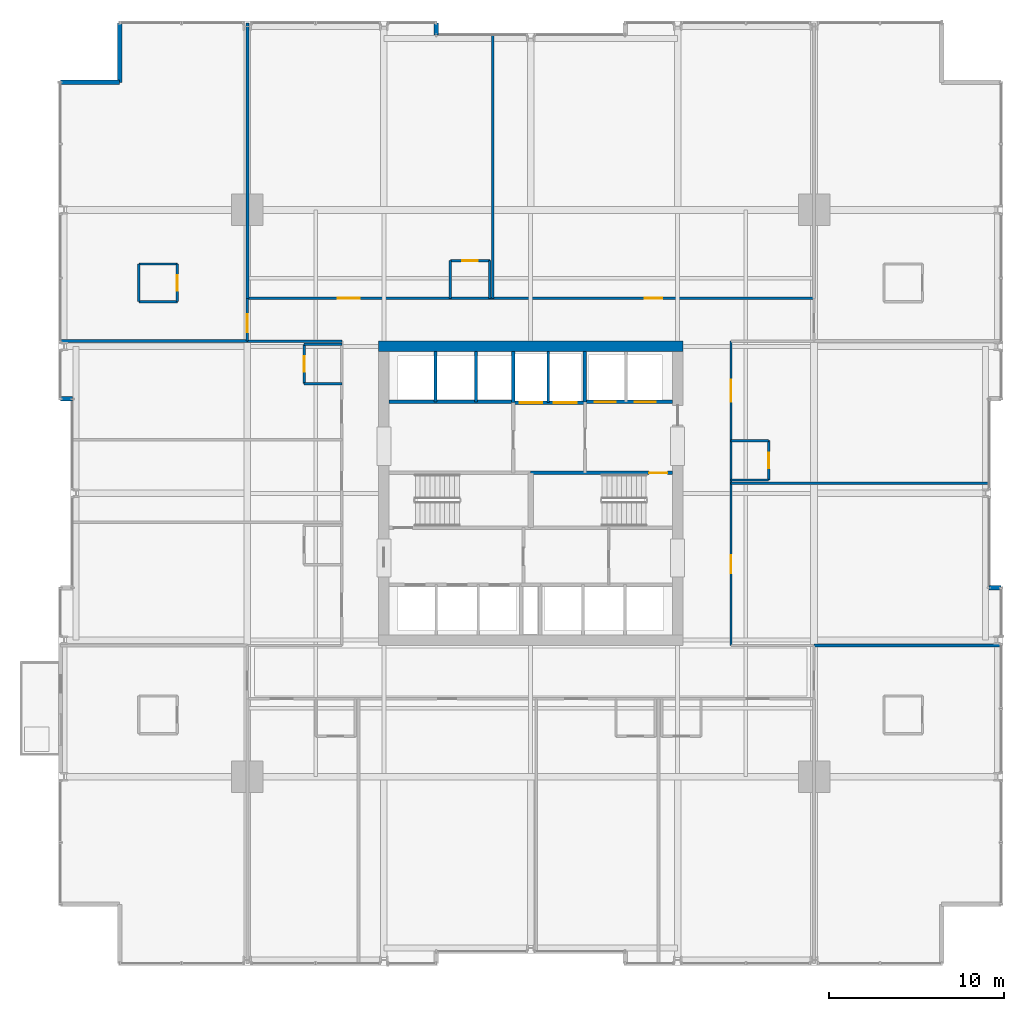
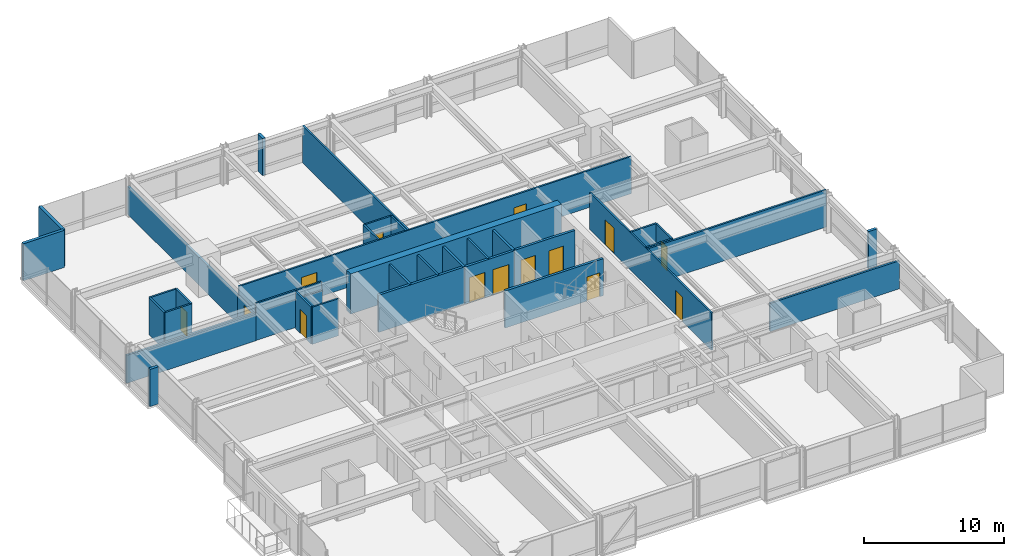
# One storey, part 32 of 37: 37 walls, 14 doors, 14 openings.
"""IFC4 building model written with IfcOpenShell, lengths in metres."""

from ifc_helpers import new_model, si_unit, direction, frame, frame_2d, origin, place, context, subcontext, project, spatial, rectangle, extrude, material, layer, layer_set, type_object, element, fill, save


model = new_model("IFC4")

# Units and contexts
model_context = context("Model", 3, precision=1e-05, world=origin(), true_north=direction((0.0, 1.0)))
body_context = subcontext(model_context, "Body", "Model", "MODEL_VIEW")
ifc_project = project(units=[si_unit("LENGTHUNIT", "METRE"), si_unit("AREAUNIT", "SQUARE_METRE"), si_unit("VOLUMEUNIT", "CUBIC_METRE"), si_unit("PLANEANGLEUNIT", "RADIAN"), si_unit("MASSUNIT", "GRAM", prefix="KILO")], contexts=[model_context])

# Site, building, storey
site_placement = place(None, origin())
site = spatial("IfcSite", under=ifc_project, at=site_placement, CompositionType="ELEMENT")
building_placement = place(site_placement, origin())
building = spatial("IfcBuilding", under=site, at=building_placement, Name="Drelvath Grand Hotel", CompositionType="ELEMENT")
storey_placement = place(building_placement, frame((0.0, 0.0, 75.199951171875)))
storey = spatial("IfcBuildingStorey", under=building, at=storey_placement, Name="L18", CompositionType="ELEMENT", Elevation=75.199951171875)

# Wall, openings, doors
ifc_material_1 = material(Name="Concrete C40/50", Category="concrete")
ifc_layer_1 = layer(ifc_material_1, 0.199951171875)
ifc_layer_set_1 = layer_set([ifc_layer_1], Name="Concrete C40/50")
wall_type_1 = type_object("IfcWallType", Name="Core Hoistway Fire Wall 200", PredefinedType="SOLIDWALL", material=ifc_layer_set_1)
wall_1_placement = place(storey_placement, frame((3.10009765625, 32.219970703125, 0.0), z_axis=(0.0, 0.0, 1.0), x_axis=(1.0, 0.0, 0.0)))
wall_1 = element("IfcWall", 1, at=wall_1_placement, inside=storey, type_object=wall_type_1, Name="L18 FSAE Hoistway Front Wall", PredefinedType="SOLIDWALL", context=body_context, shape_type="SweptSolid", body=[
    extrude(rectangle(XDim=5.0, YDim=0.199951171875, at=frame_2d((2.5, 0.0))), origin(), (0.0, 0.0, 1.0), 3.239990234375),
])
opening_1_placement = place(wall_1_placement, frame((0.550048828125, 0.0, 0.0)))
opening_1 = element("IfcOpeningElement", 2, at=opening_1_placement, cuts=wall_1, Name="Opening LD-FSAE-1", PredefinedType="OPENING", context=body_context, shape_type="SweptSolid", body=[
    extrude(rectangle(XDim=1.199951171875, YDim=2.199951171875, at=frame_2d((0.60009765625, 1.10009765625))), frame((0.0, 0.10986328125, 0.0), z_axis=(0.0, -1.0, 0.0), x_axis=(1.0, 0.0, 0.0)), (0.0, 0.0, 1.0), 0.219970703125),
])
opening_2_placement = place(wall_1_placement, frame((2.85009765625, 0.0, 0.0)))
opening_2 = element("IfcOpeningElement", 3, at=opening_2_placement, cuts=wall_1, Name="Opening LD-FSAE-2", PredefinedType="OPENING", context=body_context, shape_type="SweptSolid", body=[
    extrude(rectangle(XDim=1.199951171875, YDim=2.199951171875, at=frame_2d((0.60009765625, 1.10009765625))), frame((0.0, 0.10986328125, 0.0), z_axis=(0.0, -1.0, 0.0), x_axis=(1.0, 0.0, 0.0)), (0.0, 0.0, 1.0), 0.219970703125),
])
ifc_material_2 = material(Name="Stainless Steel S355", Category="steel")
door_type_1 = type_object("IfcDoorType", Name="FSAE Lift Sliding Landing Door 1200x2200", OperationType="NOTDEFINED", PredefinedType="DOOR", material=ifc_material_2)
door_1_placement = place(opening_1_placement, origin())
door_1 = element("IfcDoor", 4, at=door_1_placement, inside=storey, type_object=door_type_1, Name="L18 Lift FSAE-1 Landing Door", OperationType="SLIDING_TO_LEFT", OverallHeight=2.199951171875, OverallWidth=1.199951171875, PredefinedType="DOOR", context=body_context, shape_type="SweptSolid", body=[
    extrude(rectangle(XDim=1.199951171875, YDim=2.199951171875, at=frame_2d((0.60009765625, 1.10009765625))), frame((0.0, 0.02490234375, 0.0), z_axis=(0.0, -1.0, 0.0), x_axis=(1.0, 0.0, 0.0)), (0.0, 0.0, 1.0), 0.050048828125),
])
fill(opening_1, door_1)
door_2_placement = place(opening_2_placement, origin())
door_2 = element("IfcDoor", 5, at=door_2_placement, inside=storey, type_object=door_type_1, Name="L18 Lift FSAE-2 Landing Door", OperationType="SLIDING_TO_LEFT", OverallHeight=2.199951171875, OverallWidth=1.199951171875, PredefinedType="DOOR", context=body_context, shape_type="SweptSolid", body=[
    extrude(rectangle(XDim=1.199951171875, YDim=2.199951171875, at=frame_2d((0.60009765625, 1.10009765625))), frame((0.0, 0.02490234375, 0.0), z_axis=(0.0, -1.0, 0.0), x_axis=(1.0, 0.0, 0.0)), (0.0, 0.0, 1.0), 0.050048828125),
])
fill(opening_2, door_2)

# Wall
wall_2_placement = place(storey_placement, frame((3.10009765625, 32.219970703125, 0.0), z_axis=(0.0, 0.0, 1.0), x_axis=(0.0, 1.0, 0.0)))
element("IfcWall", 6, at=wall_2_placement, inside=storey, type_object=wall_type_1, Name="L18 FSAE Hoistway West Wall", PredefinedType="SOLIDWALL", context=body_context, shape_type="SweptSolid", body=[
    extrude(rectangle(XDim=2.880126953125, YDim=0.199951171875, at=frame_2d((1.43994140625, 0.0))), origin(), (0.0, 0.0, 1.0), 3.239990234375),
])

# Wall, openings, doors
wall_3_placement = place(storey_placement, frame((-1.0, 32.179931640625, 0.0), z_axis=(0.0, 0.0, 1.0), x_axis=(1.0, 0.0, 0.0)))
wall_3 = element("IfcWall", 7, at=wall_3_placement, inside=storey, type_object=wall_type_1, Name="L18 Service Lift Hoistway Wall", PredefinedType="SOLIDWALL", context=body_context, shape_type="SweptSolid", body=[
    extrude(rectangle(XDim=4.10009765625, YDim=0.199951171875, at=frame_2d((2.050048828125, 0.0))), origin(), (0.0, 0.0, 1.0), 3.239990234375),
])
opening_3_placement = place(wall_3_placement, frame((0.3701171875, 0.0, 0.0)))
opening_3 = element("IfcOpeningElement", 8, at=opening_3_placement, cuts=wall_3, Name="Opening LD-SV-2", PredefinedType="OPENING", context=body_context, shape_type="SweptSolid", body=[
    extrude(rectangle(XDim=1.300048828125, YDim=2.199951171875, at=frame_2d((0.64990234375, 1.10009765625))), frame((0.0, 0.10986328125, 0.0), z_axis=(0.0, -1.0, 0.0), x_axis=(1.0, 0.0, 0.0)), (0.0, 0.0, 1.0), 0.219970703125),
])
opening_4_placement = place(wall_3_placement, frame((2.330078125, 0.0, 0.0)))
opening_4 = element("IfcOpeningElement", 9, at=opening_4_placement, cuts=wall_3, Name="Opening LD-SV-1", PredefinedType="OPENING", context=body_context, shape_type="SweptSolid", body=[
    extrude(rectangle(XDim=1.300048828125, YDim=2.199951171875, at=frame_2d((0.64990234375, 1.10009765625))), frame((0.0, 0.10986328125, 0.0), z_axis=(0.0, -1.0, 0.0), x_axis=(1.0, 0.0, 0.0)), (0.0, 0.0, 1.0), 0.219970703125),
])
door_type_2 = type_object("IfcDoorType", Name="Service Lift Sliding Landing Door 1300x2200", OperationType="NOTDEFINED", PredefinedType="DOOR", material=ifc_material_2)
door_3_placement = place(opening_3_placement, origin())
door_3 = element("IfcDoor", 10, at=door_3_placement, inside=storey, type_object=door_type_2, Name="L18 Lift SV-2 Landing Door", OperationType="SLIDING_TO_LEFT", OverallHeight=2.199951171875, OverallWidth=1.300048828125, PredefinedType="DOOR", context=body_context, shape_type="SweptSolid", body=[
    extrude(rectangle(XDim=1.300048828125, YDim=2.199951171875, at=frame_2d((0.64990234375, 1.10009765625))), frame((0.0, 0.02490234375, 0.0), z_axis=(0.0, -1.0, 0.0), x_axis=(1.0, 0.0, 0.0)), (0.0, 0.0, 1.0), 0.050048828125),
])
fill(opening_3, door_3)
door_4_placement = place(opening_4_placement, origin())
door_4 = element("IfcDoor", 11, at=door_4_placement, inside=storey, type_object=door_type_2, Name="L18 Lift SV-1 Landing Door", OperationType="SLIDING_TO_LEFT", OverallHeight=2.199951171875, OverallWidth=1.300048828125, PredefinedType="DOOR", context=body_context, shape_type="SweptSolid", body=[
    extrude(rectangle(XDim=1.300048828125, YDim=2.199951171875, at=frame_2d((0.64990234375, 1.10009765625))), frame((0.0, 0.02490234375, 0.0), z_axis=(0.0, -1.0, 0.0), x_axis=(1.0, 0.0, 0.0)), (0.0, 0.0, 1.0), 0.050048828125),
])
fill(opening_4, door_4)

# Walls
wall_4_placement = place(storey_placement, frame((-1.0, 32.179931640625, 0.0), z_axis=(0.0, 0.0, 1.0), x_axis=(0.0, 1.0, 0.0)))
element("IfcWall", 12, at=wall_4_placement, inside=storey, type_object=wall_type_1, Name="L18 Service Lift West Wall", PredefinedType="SOLIDWALL", context=body_context, shape_type="SweptSolid", body=[
    extrude(rectangle(XDim=2.920166015625, YDim=0.199951171875, at=frame_2d((1.4599609375, 0.0))), origin(), (0.0, 0.0, 1.0), 3.239990234375),
])
wall_5_placement = place(storey_placement, frame((-8.10009765625, 32.219970703125, 0.0), z_axis=(0.0, 0.0, 1.0), x_axis=(1.0, 0.0, 0.0)))
element("IfcWall", 13, at=wall_5_placement, inside=storey, type_object=wall_type_1, Name="L18 Bank 3 Hoistway Wall", PredefinedType="SOLIDWALL", context=body_context, shape_type="SweptSolid", body=[
    extrude(rectangle(XDim=7.10009765625, YDim=0.199951171875, at=frame_2d((3.550048828125, 0.0))), origin(), (0.0, 0.0, 1.0), 3.239990234375),
])

# Wall, opening, door
ifc_layer_2 = layer(ifc_material_1, 0.199951171875)
ifc_layer_set_2 = layer_set([ifc_layer_2], Name="Concrete C40/50")
wall_type_2 = type_object("IfcWallType", Name="Core Shaft Fire Wall 200", PredefinedType="SOLIDWALL", material=ifc_layer_set_2)
wall_6_placement = place(storey_placement, frame((8.10009765625, 28.159912109375, 0.0), z_axis=(0.0, 0.0, 1.0), x_axis=(-1.0, 0.0, 0.0)))
wall_6 = element("IfcWall", 14, at=wall_6_placement, inside=storey, type_object=wall_type_2, Name="L18 Stair ST-2 North Wall", PredefinedType="SOLIDWALL", context=body_context, shape_type="SweptSolid", body=[
    extrude(rectangle(XDim=8.10009765625, YDim=0.199951171875, at=frame_2d((4.050048828125, 0.0))), origin(), (0.0, 0.0, 1.0), 3.239990234375),
])
opening_5_placement = place(wall_6_placement, frame((0.280029296875, 0.0, 0.0)))
opening_5 = element("IfcOpeningElement", 15, at=opening_5_placement, cuts=wall_6, Name="Opening D-T1G5-002", PredefinedType="OPENING", context=body_context, shape_type="SweptSolid", body=[
    extrude(rectangle(XDim=1.050048828125, YDim=2.10009765625, at=frame_2d((0.52490234375, 1.050048828125))), frame((0.0, 0.10986328125, 0.0), z_axis=(0.0, -1.0, 0.0), x_axis=(1.0, 0.0, 0.0)), (0.0, 0.0, 1.0), 0.219970703125),
])
ifc_material_3 = material(Name="Painted Steel S275", Category="steel")
door_type_3 = type_object("IfcDoorType", Name="Tower Stairwell Fire Door 1050x2100", OperationType="NOTDEFINED", PredefinedType="DOOR", material=ifc_material_3)
door_5_placement = place(opening_5_placement, origin())
door_5 = element("IfcDoor", 16, at=door_5_placement, inside=storey, type_object=door_type_3, Name="L18 Exit Stair ST-2 Door", OperationType="SINGLE_SWING_LEFT", OverallHeight=2.10009765625, OverallWidth=1.050048828125, PredefinedType="DOOR", context=body_context, shape_type="SweptSolid", body=[
    extrude(rectangle(XDim=1.050048828125, YDim=2.10009765625, at=frame_2d((0.52490234375, 1.050048828125))), frame((0.0, 0.02490234375, 0.0), z_axis=(0.0, -1.0, 0.0), x_axis=(1.0, 0.0, 0.0)), (0.0, 0.0, 1.0), 0.050048828125),
])
fill(opening_5, door_5)

# Walls
ifc_material_4 = material(Name="Gypsum Fireboard Partition")
ifc_layer_3 = layer(ifc_material_4, 0.1650390625)
ifc_layer_set_3 = layer_set([ifc_layer_3], Name="Gypsum Fireboard Partition")
wall_type_3 = type_object("IfcWallType", Name="Core Shaft Partition 165", PredefinedType="PARTITIONING", material=ifc_layer_set_3)
wall_7_placement = place(storey_placement, frame((1.0, 32.179931640625, 0.0), z_axis=(0.0, 0.0, 1.0), x_axis=(0.0, 1.0, 0.0)))
element("IfcWall", 17, at=wall_7_placement, inside=storey, type_object=wall_type_3, Name="L18 Service Lift Divider", PredefinedType="PARTITIONING", context=body_context, shape_type="SweptSolid", body=[
    extrude(rectangle(XDim=2.920166015625, YDim=0.1650390625, at=frame_2d((1.4599609375, 0.0))), origin(), (0.0, 0.0, 1.0), 3.239990234375),
])
for number, where, z_axis, x_axis, name in (
    (18, (-5.43994140625, 32.219970703125, 0.0), (0.0, 0.0, 1.0), (0.0, 1.0, 0.0), "L18 Lift PE-7/8 Divider"),
    (19, (-3.1201171875, 32.219970703125, 0.0), (0.0, 0.0, 1.0), (0.0, 1.0, 0.0), "L18 Lift PE-8/9 Divider"),
):
    element("IfcWall", number, at=place(storey_placement, frame(where, z_axis=z_axis, x_axis=x_axis)), inside=storey, type_object=wall_type_3, Name=name, PredefinedType="PARTITIONING", context=body_context, shape_type="SweptSolid", body=[
        extrude(rectangle(XDim=2.880126953125, YDim=0.1650390625, at=frame_2d((1.43994140625, 0.0))), origin(), (0.0, 0.0, 1.0), 3.239990234375),
    ])

# Wall, openings, doors
ifc_layer_4 = layer(ifc_material_4, 0.135009765625)
ifc_layer_set_4 = layer_set([ifc_layer_4], Name="Gypsum Fireboard Partition")
wall_type_4 = type_object("IfcWallType", Name="Corridor Fire Barrier Wall 135", PredefinedType="PARTITIONING", material=ifc_layer_set_4)
wall_8_placement = place(storey_placement, frame((-16.199951171875, 38.14990234375, 0.0), z_axis=(0.0, 0.0, 1.0), x_axis=(1.0, 0.0, 0.0)))
wall_8 = element("IfcWall", 20, at=wall_8_placement, inside=storey, type_object=wall_type_4, Name="L18 North Corridor Wall", PredefinedType="PARTITIONING", context=body_context, shape_type="SweptSolid", body=[
    extrude(rectangle(XDim=32.39990234375, YDim=0.135009765625, at=frame_2d((16.199951171875, 0.0))), origin(), (0.0, 0.0, 1.0), 3.239990234375),
])
opening_6_placement = place(wall_8_placement, frame((5.175048828125, 0.0, 0.0)))
opening_6 = element("IfcOpeningElement", 21, at=opening_6_placement, cuts=wall_8, Name="Opening D-T1G5-032", PredefinedType="OPENING", context=body_context, shape_type="SweptSolid", body=[
    extrude(rectangle(XDim=1.260009765625, YDim=2.199951171875, at=frame_2d((0.6298828125, 1.10009765625))), frame((0.0, 0.077392578125, 0.0), z_axis=(0.0, -1.0, 0.0), x_axis=(1.0, 0.0, 0.0)), (0.0, 0.0, 1.0), 0.155029296875),
])
opening_7_placement = place(wall_8_placement, frame((22.7099609375, 0.0, 0.0)))
opening_7 = element("IfcOpeningElement", 22, at=opening_7_placement, cuts=wall_8, Name="Opening D-T1G5-033", PredefinedType="OPENING", context=body_context, shape_type="SweptSolid", body=[
    extrude(rectangle(XDim=1.02001953125, YDim=2.14990234375, at=frame_2d((0.510009765625, 1.074951171875))), frame((0.0, 0.077392578125, 0.0), z_axis=(0.0, -1.0, 0.0), x_axis=(1.0, 0.0, 0.0)), (0.0, 0.0, 1.0), 0.155029296875),
])
ifc_material_5 = material(Name="Hardwood Walnut Timber", Category="wood")
door_type_4 = type_object("IfcDoorType", Name="Amenity Meeting Fire Door 1020x2150", OperationType="NOTDEFINED", PredefinedType="DOOR", material=ifc_material_5)
door_6_placement = place(opening_7_placement, origin())
door_6 = element("IfcDoor", 23, at=door_6_placement, inside=storey, type_object=door_type_4, Name="L18 Champagne Tea Salon Entry Door", OperationType="SINGLE_SWING_RIGHT", OverallHeight=2.14990234375, OverallWidth=1.02001953125, PredefinedType="DOOR", context=body_context, shape_type="SweptSolid", body=[
    extrude(rectangle(XDim=1.02001953125, YDim=2.14990234375, at=frame_2d((0.510009765625, 1.074951171875))), frame((0.0, 0.02490234375, 0.0), z_axis=(0.0, -1.0, 0.0), x_axis=(1.0, 0.0, 0.0)), (0.0, 0.0, 1.0), 0.050048828125),
])
fill(opening_7, door_6)
door_type_5 = type_object("IfcDoorType", Name="Suite Entrance Fire Door 1260x2200", OperationType="NOTDEFINED", PredefinedType="DOOR", material=ifc_material_5)
door_7_placement = place(opening_6_placement, origin())
door_7 = element("IfcDoor", 24, at=door_7_placement, inside=storey, type_object=door_type_5, Name="L18 Corner Suite Entry Door", OperationType="SINGLE_SWING_LEFT", OverallHeight=2.199951171875, OverallWidth=1.260009765625, PredefinedType="DOOR", context=body_context, shape_type="SweptSolid", body=[
    extrude(rectangle(XDim=1.260009765625, YDim=2.199951171875, at=frame_2d((0.6298828125, 1.10009765625))), frame((0.0, 0.02490234375, 0.0), z_axis=(0.0, -1.0, 0.0), x_axis=(1.0, 0.0, 0.0)), (0.0, 0.0, 1.0), 0.050048828125),
])
fill(opening_6, door_7)

# Wall
wall_9_placement = place(storey_placement, frame((-16.199951171875, 35.699951171875, 0.0), z_axis=(0.0, 0.0, 1.0), x_axis=(1.0, 0.0, 0.0)))
element("IfcWall", 25, at=wall_9_placement, inside=storey, type_object=wall_type_4, Name="L18 NW Spur Inner Wall", PredefinedType="PARTITIONING", context=body_context, shape_type="SweptSolid", body=[
    extrude(rectangle(XDim=5.39990234375, YDim=0.135009765625, at=frame_2d((2.699951171875, 0.0))), origin(), (0.0, 0.0, 1.0), 3.239990234375),
])

# Wall, openings, doors
wall_10_placement = place(storey_placement, frame((11.449951171875, 18.300048828125, 0.0), z_axis=(0.0, 0.0, 1.0), x_axis=(0.0, 1.0, 0.0)))
wall_10 = element("IfcWall", 26, at=wall_10_placement, inside=storey, type_object=wall_type_4, Name="L18 East Corridor Wall", PredefinedType="PARTITIONING", context=body_context, shape_type="SweptSolid", body=[
    extrude(rectangle(XDim=17.39990234375, YDim=0.135009765625, at=frame_2d((8.699951171875, 0.0))), origin(), (0.0, 0.0, 1.0), 3.239990234375),
])
opening_8_placement = place(wall_10_placement, frame((4.1298828125, 0.0, 0.0)))
opening_8 = element("IfcOpeningElement", 27, at=opening_8_placement, cuts=wall_10, Name="Opening D-T1G5-039", PredefinedType="OPENING", context=body_context, shape_type="SweptSolid", body=[
    extrude(rectangle(XDim=1.02001953125, YDim=2.14990234375, at=frame_2d((0.510009765625, 1.074951171875))), frame((0.0, 0.077392578125, 0.0), z_axis=(0.0, -1.0, 0.0), x_axis=(1.0, 0.0, 0.0)), (0.0, 0.0, 1.0), 0.155029296875),
])
opening_9_placement = place(wall_10_placement, frame((13.925048828125, 0.0, 0.0)))
opening_9 = element("IfcOpeningElement", 28, at=opening_9_placement, cuts=wall_10, Name="Opening D-T1G5-041", PredefinedType="OPENING", context=body_context, shape_type="SweptSolid", body=[
    extrude(rectangle(XDim=1.260009765625, YDim=2.199951171875, at=frame_2d((0.6298828125, 1.10009765625))), frame((0.0, 0.077392578125, 0.0), z_axis=(0.0, -1.0, 0.0), x_axis=(1.0, 0.0, 0.0)), (0.0, 0.0, 1.0), 0.155029296875),
])
door_8_placement = place(opening_8_placement, origin())
door_8 = element("IfcDoor", 29, at=door_8_placement, inside=storey, type_object=door_type_4, Name="L18 Guest Relations Office Entry Door", OperationType="SINGLE_SWING_RIGHT", OverallHeight=2.14990234375, OverallWidth=1.02001953125, PredefinedType="DOOR", context=body_context, shape_type="SweptSolid", body=[
    extrude(rectangle(XDim=1.02001953125, YDim=2.14990234375, at=frame_2d((0.510009765625, 1.074951171875))), frame((0.0, 0.02490234375, 0.0), z_axis=(0.0, -1.0, 0.0), x_axis=(1.0, 0.0, 0.0)), (0.0, 0.0, 1.0), 0.050048828125),
])
fill(opening_8, door_8)
door_9_placement = place(opening_9_placement, origin())
door_9 = element("IfcDoor", 30, at=door_9_placement, inside=storey, type_object=door_type_5, Name="L18 Corner Suite Entry Door", OperationType="SINGLE_SWING_RIGHT", OverallHeight=2.199951171875, OverallWidth=1.260009765625, PredefinedType="DOOR", context=body_context, shape_type="SweptSolid", body=[
    extrude(rectangle(XDim=1.260009765625, YDim=2.199951171875, at=frame_2d((0.6298828125, 1.10009765625))), frame((0.0, 0.02490234375, 0.0), z_axis=(0.0, -1.0, 0.0), x_axis=(1.0, 0.0, 0.0)), (0.0, 0.0, 1.0), 0.050048828125),
])
fill(opening_9, door_9)

# Wall, opening, door
wall_11_placement = place(storey_placement, frame((-16.199951171875, 35.699951171875, 0.0), z_axis=(0.0, 0.0, 1.0), x_axis=(0.0, 1.0, 0.0)))
wall_11 = element("IfcWall", 31, at=wall_11_placement, inside=storey, type_object=wall_type_4, Name="L18 North Corridor West End", PredefinedType="PARTITIONING", context=body_context, shape_type="SweptSolid", body=[
    extrude(rectangle(XDim=2.449951171875, YDim=0.135009765625, at=frame_2d((1.22509765625, 0.0))), origin(), (0.0, 0.0, 1.0), 2.451904296875),
])
opening_10_placement = place(wall_11_placement, frame((0.52001953125, 0.0, 0.0)))
opening_10 = element("IfcOpeningElement", 32, at=opening_10_placement, cuts=wall_11, Name="Opening D-T1G5-021", PredefinedType="OPENING", context=body_context, shape_type="SweptSolid", body=[
    extrude(rectangle(XDim=1.02001953125, YDim=2.14990234375, at=frame_2d((0.510009765625, 1.074951171875))), frame((0.0, 0.077392578125, 0.0), z_axis=(0.0, -1.0, 0.0), x_axis=(1.0, 0.0, 0.0)), (0.0, 0.0, 1.0), 0.155029296875),
])
door_10_placement = place(opening_10_placement, origin())
door_10 = element("IfcDoor", 33, at=door_10_placement, inside=storey, type_object=door_type_4, Name="L18 Corner Suite Entry Door", OperationType="SINGLE_SWING_RIGHT", OverallHeight=2.14990234375, OverallWidth=1.02001953125, PredefinedType="DOOR", context=body_context, shape_type="SweptSolid", body=[
    extrude(rectangle(XDim=1.02001953125, YDim=2.14990234375, at=frame_2d((0.510009765625, 1.074951171875))), frame((0.0, 0.02490234375, 0.0), z_axis=(0.0, -1.0, 0.0), x_axis=(1.0, 0.0, 0.0)), (0.0, 0.0, 1.0), 0.050048828125),
])
fill(opening_10, door_10)

# Walls
ifc_material_6 = material(Name="Moisture-Resistant Gypsum Board")
ifc_layer_5 = layer(ifc_material_6, 0.139892578125)
ifc_layer_set_5 = layer_set([ifc_layer_5], Name="Moisture-Resistant Gypsum Board")
wall_type_5 = type_object("IfcWallType", Name="En-Suite Plumbing Wall 140", PredefinedType="PLUMBINGWALL", material=ifc_layer_set_5)
for number, where, z_axis, x_axis, name in (
    (34, (-22.39990234375, 37.9599609375, 0.0), (0.0, 0.0, 1.0), (1.0, 0.0, 0.0), "L18 Corner En-Suite South"),
    (35, (-22.39990234375, 40.110107421875, 0.0), (0.0, 0.0, 1.0), (1.0, 0.0, 0.0), "L18 Corner En-Suite North"),
):
    element("IfcWall", number, at=place(storey_placement, frame(where, z_axis=z_axis, x_axis=x_axis)), inside=storey, type_object=wall_type_5, Name=name, PredefinedType="PLUMBINGWALL", context=body_context, shape_type="SweptSolid", body=[
        extrude(rectangle(XDim=2.199951171875, YDim=0.139892578125, at=frame_2d((1.10009765625, 0.0))), origin(), (0.0, 0.0, 1.0), 3.239990234375),
    ])
wall_12_placement = place(storey_placement, frame((-22.39990234375, 37.9599609375, 0.0), z_axis=(0.0, 0.0, 1.0), x_axis=(0.0, 1.0, 0.0)))
element("IfcWall", 36, at=wall_12_placement, inside=storey, type_object=wall_type_5, Name="L18 Corner En-Suite West", PredefinedType="PLUMBINGWALL", context=body_context, shape_type="SweptSolid", body=[
    extrude(rectangle(XDim=2.150146484375, YDim=0.139892578125, at=frame_2d((1.0751953125, 0.0))), origin(), (0.0, 0.0, 1.0), 3.239990234375),
])

# Wall, opening, door
wall_13_placement = place(storey_placement, frame((-20.199951171875, 37.9599609375, 0.0), z_axis=(0.0, 0.0, 1.0), x_axis=(0.0, 1.0, 0.0)))
wall_13 = element("IfcWall", 37, at=wall_13_placement, inside=storey, type_object=wall_type_5, Name="L18 Corner En-Suite East", PredefinedType="PLUMBINGWALL", context=body_context, shape_type="SweptSolid", body=[
    extrude(rectangle(XDim=2.150146484375, YDim=0.139892578125, at=frame_2d((1.0751953125, 0.0))), origin(), (0.0, 0.0, 1.0), 3.239990234375),
])
opening_11_placement = place(wall_13_placement, frame((0.6201171875, 0.0, 0.0)))
opening_11 = element("IfcOpeningElement", 38, at=opening_11_placement, cuts=wall_13, Name="Opening D-T1G5-020", PredefinedType="OPENING", context=body_context, shape_type="SweptSolid", body=[
    extrude(rectangle(XDim=0.8798828125, YDim=2.10009765625, at=frame_2d((0.43994140625, 1.050048828125))), frame((0.0, 0.079833984375, 0.0), z_axis=(0.0, -1.0, 0.0), x_axis=(1.0, 0.0, 0.0)), (0.0, 0.0, 1.0), 0.159912109375),
])
door_type_6 = type_object("IfcDoorType", Name="En-Suite Bathroom Door 880x2100", OperationType="NOTDEFINED", PredefinedType="DOOR", material=ifc_material_5)
door_11_placement = place(opening_11_placement, origin())
door_11 = element("IfcDoor", 39, at=door_11_placement, inside=storey, type_object=door_type_6, Name="L18 Corner En-Suite Door", OperationType="SINGLE_SWING_LEFT", OverallHeight=2.10009765625, OverallWidth=0.8798828125, PredefinedType="DOOR", context=body_context, shape_type="SweptSolid", body=[
    extrude(rectangle(XDim=0.8798828125, YDim=2.10009765625, at=frame_2d((0.43994140625, 1.050048828125))), frame((0.0, 0.02490234375, 0.0), z_axis=(0.0, -1.0, 0.0), x_axis=(1.0, 0.0, 0.0)), (0.0, 0.0, 1.0), 0.050048828125),
])
fill(opening_11, door_11)

# Walls
for number, where, z_axis, x_axis, name in (
    (40, (-4.590087890625, 38.14990234375, 0.0), (0.0, 0.0, 1.0), (0.0, 1.0, 0.0), "L18 En-Suite Left Wall"),
    (41, (-2.340087890625, 38.14990234375, 0.0), (0.0, 0.0, 1.0), (0.0, 1.0, 0.0), "L18 En-Suite Right Wall"),
):
    element("IfcWall", number, at=place(storey_placement, frame(where, z_axis=z_axis, x_axis=x_axis)), inside=storey, type_object=wall_type_5, Name=name, PredefinedType="PLUMBINGWALL", context=body_context, shape_type="SweptSolid", body=[
        extrude(rectangle(XDim=2.150146484375, YDim=0.139892578125, at=frame_2d((1.0751953125, 0.0))), origin(), (0.0, 0.0, 1.0), 3.239990234375),
    ])

# Wall, opening, door
wall_14_placement = place(storey_placement, frame((-4.590087890625, 40.300048828125, 0.0), z_axis=(0.0, 0.0, 1.0), x_axis=(1.0, 0.0, 0.0)))
wall_14 = element("IfcWall", 42, at=wall_14_placement, inside=storey, type_object=wall_type_5, Name="L18 En-Suite Front Wall", PredefinedType="PLUMBINGWALL", context=body_context, shape_type="SweptSolid", body=[
    extrude(rectangle(XDim=2.25, YDim=0.139892578125, at=frame_2d((1.125, 0.0))), origin(), (0.0, 0.0, 1.0), 3.239990234375),
])
opening_12_placement = place(wall_14_placement, frame((0.68505859375, 0.0, 0.0)))
opening_12 = element("IfcOpeningElement", 43, at=opening_12_placement, cuts=wall_14, Name="Opening D-T1G5-031", PredefinedType="OPENING", context=body_context, shape_type="SweptSolid", body=[
    extrude(rectangle(XDim=0.8798828125, YDim=2.10009765625, at=frame_2d((0.43994140625, 1.050048828125))), frame((0.0, 0.079833984375, 0.0), z_axis=(0.0, -1.0, 0.0), x_axis=(1.0, 0.0, 0.0)), (0.0, 0.0, 1.0), 0.159912109375),
])
door_12_placement = place(opening_12_placement, origin())
door_12 = element("IfcDoor", 44, at=door_12_placement, inside=storey, type_object=door_type_6, Name="L18 En-Suite Bathroom Door", OperationType="SINGLE_SWING_RIGHT", OverallHeight=2.10009765625, OverallWidth=0.8798828125, PredefinedType="DOOR", context=body_context, shape_type="SweptSolid", body=[
    extrude(rectangle(XDim=0.8798828125, YDim=2.10009765625, at=frame_2d((0.43994140625, 1.050048828125))), frame((0.0, 0.02490234375, 0.0), z_axis=(0.0, -1.0, 0.0), x_axis=(1.0, 0.0, 0.0)), (0.0, 0.0, 1.0), 0.050048828125),
])
fill(opening_12, door_12)

# Walls
wall_15_placement = place(storey_placement, frame((-10.800048828125, 33.27001953125, 0.0), z_axis=(0.0, 0.0, 1.0), x_axis=(-1.0, 0.0, 0.0)))
element("IfcWall", 45, at=wall_15_placement, inside=storey, type_object=wall_type_5, Name="L18 En-Suite Left Wall", PredefinedType="PLUMBINGWALL", context=body_context, shape_type="SweptSolid", body=[
    extrude(rectangle(XDim=2.14990234375, YDim=0.139892578125, at=frame_2d((1.074951171875, 0.0))), origin(), (0.0, 0.0, 1.0), 3.239990234375),
])
wall_16_placement = place(storey_placement, frame((-10.800048828125, 35.52001953125, 0.0), z_axis=(0.0, 0.0, 1.0), x_axis=(-1.0, 0.0, 0.0)))
element("IfcWall", 46, at=wall_16_placement, inside=storey, type_object=wall_type_5, Name="L18 En-Suite Right Wall", PredefinedType="PLUMBINGWALL", context=body_context, shape_type="SweptSolid", body=[
    extrude(rectangle(XDim=2.14990234375, YDim=0.139892578125, at=frame_2d((1.074951171875, 0.0))), origin(), (0.0, 0.0, 1.0), 2.617431640625),
])

# Wall, opening, door
wall_17_placement = place(storey_placement, frame((-12.949951171875, 33.27001953125, 0.0), z_axis=(0.0, 0.0, 1.0), x_axis=(0.0, 1.0, 0.0)))
wall_17 = element("IfcWall", 47, at=wall_17_placement, inside=storey, type_object=wall_type_5, Name="L18 En-Suite Front Wall", PredefinedType="PLUMBINGWALL", context=body_context, shape_type="SweptSolid", body=[
    extrude(rectangle(XDim=2.25, YDim=0.139892578125, at=frame_2d((1.125, 0.0))), origin(), (0.0, 0.0, 1.0), 3.239990234375),
])
opening_13_placement = place(wall_17_placement, frame((0.68505859375, 0.0, 0.0)))
opening_13 = element("IfcOpeningElement", 48, at=opening_13_placement, cuts=wall_17, Name="Opening D-T1G5-037", PredefinedType="OPENING", context=body_context, shape_type="SweptSolid", body=[
    extrude(rectangle(XDim=0.8798828125, YDim=2.10009765625, at=frame_2d((0.43994140625, 1.050048828125))), frame((0.0, 0.079833984375, 0.0), z_axis=(0.0, -1.0, 0.0), x_axis=(1.0, 0.0, 0.0)), (0.0, 0.0, 1.0), 0.159912109375),
])
door_13_placement = place(opening_13_placement, origin())
door_13 = element("IfcDoor", 49, at=door_13_placement, inside=storey, type_object=door_type_6, Name="L18 En-Suite Bathroom Door", OperationType="SINGLE_SWING_RIGHT", OverallHeight=2.10009765625, OverallWidth=0.8798828125, PredefinedType="DOOR", context=body_context, shape_type="SweptSolid", body=[
    extrude(rectangle(XDim=0.8798828125, YDim=2.10009765625, at=frame_2d((0.43994140625, 1.050048828125))), frame((0.0, 0.02490234375, 0.0), z_axis=(0.0, -1.0, 0.0), x_axis=(1.0, 0.0, 0.0)), (0.0, 0.0, 1.0), 0.050048828125),
])
fill(opening_13, door_13)

# Walls
for number, where, z_axis, x_axis, name in (
    (50, (11.449951171875, 27.760009765625, 0.0), (0.0, 0.0, 1.0), (1.0, 0.0, 0.0), "L18 En-Suite Left Wall"),
    (51, (11.449951171875, 30.010009765625, 0.0), (0.0, 0.0, 1.0), (1.0, 0.0, 0.0), "L18 En-Suite Right Wall"),
):
    element("IfcWall", number, at=place(storey_placement, frame(where, z_axis=z_axis, x_axis=x_axis)), inside=storey, type_object=wall_type_5, Name=name, PredefinedType="PLUMBINGWALL", context=body_context, shape_type="SweptSolid", body=[
        extrude(rectangle(XDim=2.150146484375, YDim=0.139892578125, at=frame_2d((1.0751953125, 0.0))), origin(), (0.0, 0.0, 1.0), 3.239990234375),
    ])

# Wall, opening, door
wall_18_placement = place(storey_placement, frame((13.60009765625, 27.760009765625, 0.0), z_axis=(0.0, 0.0, 1.0), x_axis=(0.0, 1.0, 0.0)))
wall_18 = element("IfcWall", 52, at=wall_18_placement, inside=storey, type_object=wall_type_5, Name="L18 En-Suite Front Wall", PredefinedType="PLUMBINGWALL", context=body_context, shape_type="SweptSolid", body=[
    extrude(rectangle(XDim=2.25, YDim=0.139892578125, at=frame_2d((1.125, 0.0))), origin(), (0.0, 0.0, 1.0), 3.239990234375),
])
opening_14_placement = place(wall_18_placement, frame((0.68505859375, 0.0, 0.0)))
opening_14 = element("IfcOpeningElement", 53, at=opening_14_placement, cuts=wall_18, Name="Opening D-T1G5-040", PredefinedType="OPENING", context=body_context, shape_type="SweptSolid", body=[
    extrude(rectangle(XDim=0.8798828125, YDim=2.10009765625, at=frame_2d((0.43994140625, 1.050048828125))), frame((0.0, 0.079833984375, 0.0), z_axis=(0.0, -1.0, 0.0), x_axis=(1.0, 0.0, 0.0)), (0.0, 0.0, 1.0), 0.159912109375),
])
door_14_placement = place(opening_14_placement, origin())
door_14 = element("IfcDoor", 54, at=door_14_placement, inside=storey, type_object=door_type_6, Name="L18 En-Suite Bathroom Door", OperationType="SINGLE_SWING_LEFT", OverallHeight=2.10009765625, OverallWidth=0.8798828125, PredefinedType="DOOR", context=body_context, shape_type="SweptSolid", body=[
    extrude(rectangle(XDim=0.8798828125, YDim=2.10009765625, at=frame_2d((0.43994140625, 1.050048828125))), frame((0.0, 0.02490234375, 0.0), z_axis=(0.0, -1.0, 0.0), x_axis=(1.0, 0.0, 0.0)), (0.0, 0.0, 1.0), 0.050048828125),
])
fill(opening_14, door_14)

# Walls
ifc_material_7 = material(Name="Gypsum Acoustic Partition")
ifc_layer_6 = layer(ifc_material_7, 0.14990234375)
ifc_layer_set_6 = layer_set([ifc_layer_6], Name="Gypsum Acoustic Partition")
wall_type_6 = type_object("IfcWallType", Name="Guestroom Demising Wall 150", PredefinedType="PARTITIONING", material=ifc_layer_set_6)
wall_19_placement = place(storey_placement, frame((-2.159912109375, 38.14990234375, 0.0), z_axis=(0.0, 0.0, 1.0), x_axis=(0.0, 1.0, 0.0)))
element("IfcWall", 55, at=wall_19_placement, inside=storey, type_object=wall_type_6, Name="L18 North Demising 1", PredefinedType="PARTITIONING", context=body_context, shape_type="SweptSolid", body=[
    extrude(rectangle(XDim=15.050048828125, YDim=0.14990234375, at=frame_2d((7.52490234375, 0.0))), origin(), (0.0, 0.0, 1.0), 3.239990234375),
])
wall_20_placement = place(storey_placement, frame((11.449951171875, 27.580078125, 0.0), z_axis=(0.0, 0.0, 1.0), x_axis=(1.0, 0.0, 0.0)))
element("IfcWall", 56, at=wall_20_placement, inside=storey, type_object=wall_type_6, Name="L18 East Demising 1", PredefinedType="PARTITIONING", context=body_context, shape_type="SweptSolid", body=[
    extrude(rectangle(XDim=14.75, YDim=0.14990234375, at=frame_2d((7.375, 0.0))), origin(), (0.0, 0.0, 1.0), 3.239990234375),
])
ifc_material_8 = material(Name="Concrete f'c 70 MPa", Category="concrete")
ifc_layer_7 = layer(ifc_material_8, 0.60009765625)
ifc_layer_set_7 = layer_set([ifc_layer_7], Name="Concrete f'c 70 MPa")
wall_type_7 = type_object("IfcWallType", Name="Lower Core RC Shear Wall 600", PredefinedType="SHEAR", material=ifc_layer_set_7)
wall_21_placement = place(storey_placement, frame((-8.699951171875, 35.39990234375, 0.0), z_axis=(0.0, 0.0, 1.0), x_axis=(1.0, 0.0, 0.0)))
element("IfcWall", 57, at=wall_21_placement, inside=storey, type_object=wall_type_7, Name="L18 Central Core Shear Wall N", PredefinedType="SHEAR", context=body_context, shape_type="SweptSolid", body=[
    extrude(rectangle(XDim=17.39990234375, YDim=0.60009765625, at=frame_2d((8.699951171875, 0.0))), origin(), (0.0, 0.0, 1.0), 3.5),
])
ifc_layer_8 = layer(ifc_material_7, 0.1650390625)
ifc_layer_set_8 = layer_set([ifc_layer_8], Name="Gypsum Acoustic Partition")
wall_type_8 = type_object("IfcWallType", Name="Suite Demising Wall 165", PredefinedType="PARTITIONING", material=ifc_layer_set_8)
wall_22_placement = place(storey_placement, frame((-16.199951171875, 38.14990234375, 0.0), z_axis=(0.0, 0.0, 1.0), x_axis=(0.0, 1.0, 0.0)))
element("IfcWall", 58, at=wall_22_placement, inside=storey, type_object=wall_type_8, Name="L18 NW Wing Boundary Wall", PredefinedType="PARTITIONING", context=body_context, shape_type="SweptSolid", body=[
    extrude(rectangle(XDim=15.72998046875, YDim=0.1650390625, at=frame_2d((7.864990234375, 0.0))), origin(), (0.0, 0.0, 1.0), 2.451904296875),
])
for number, where, z_axis, x_axis, name in (
    (59, (16.199951171875, 18.300048828125, 0.0), (0.0, 0.0, 1.0), (1.0, 0.0, 0.0), "L18 SE Corner North Wall"),
    (60, (-26.8798828125, 35.699951171875, 0.0), (0.0, 0.0, 1.0), (1.0, 0.0, 0.0), "L18 NW Corner South Wall"),
):
    element("IfcWall", number, at=place(storey_placement, frame(where, z_axis=z_axis, x_axis=x_axis)), inside=storey, type_object=wall_type_8, Name=name, PredefinedType="PARTITIONING", context=body_context, shape_type="SweptSolid", body=[
        extrude(rectangle(XDim=10.679931640625, YDim=0.1650390625, at=frame_2d((5.33984375, 0.0))), origin(), (0.0, 0.0, 1.0), 2.451904296875),
    ])
ifc_material_9 = material(Name="Pale-Metal Insulated Aluminium Spandrel Assembly", Category="aluminium")
ifc_layer_9 = layer(ifc_material_9, 0.239990234375)
ifc_layer_set_9 = layer_set([ifc_layer_9], Name="Pale-Metal Insulated Aluminium Spandrel Assembly")
wall_type_9 = type_object("IfcWallType", Name="Tower Insulated Metal Spandrel Closure Wall 240", PredefinedType="STANDARD", material=ifc_layer_set_9)
for number, where, z_axis, x_axis, name in (
    (61, (-26.8798828125, 50.5, 0.0), (0.0, 0.0, 1.0), (1.0, 0.0, 0.0), "L18 Notched Corner Return Spandrel Wall CNW1"),
    (62, (-23.5, 50.5, 0.0), (0.0, 0.0, 1.0), (0.0, 1.0, 0.0), "L18 Notched Corner Return Spandrel Wall CNW2"),
):
    element("IfcWall", number, at=place(storey_placement, frame(where, z_axis=z_axis, x_axis=x_axis)), inside=storey, type_object=wall_type_9, Name=name, PredefinedType="STANDARD", context=body_context, shape_type="SweptSolid", body=[
        extrude(rectangle(XDim=3.3798828125, YDim=0.239990234375, at=frame_2d((1.68994140625, 0.0))), origin(), (0.0, 0.0, 1.0), 3.239990234375),
    ])
for number, where, z_axis, x_axis, name in (
    (63, (-26.199951171875, 32.39990234375, 0.0), (0.0, 0.0, 1.0), (-1.0, 0.0, 0.0), "L18 Notched Corner Return Spandrel Wall RW2"),
    (64, (26.199951171875, 21.60009765625, 0.0), (0.0, 0.0, 1.0), (1.0, 0.0, 0.0), "L18 Notched Corner Return Spandrel Wall RE2"),
    (65, (-5.39990234375, 53.8798828125, 0.0), (0.0, 0.0, 1.0), (0.0, -1.0, 0.0), "L18 Notched Corner Return Spandrel Wall RN1"),
):
    element("IfcWall", number, at=place(storey_placement, frame(where, z_axis=z_axis, x_axis=x_axis)), inside=storey, type_object=wall_type_9, Name=name, PredefinedType="STANDARD", context=body_context, shape_type="SweptSolid", body=[
        extrude(rectangle(XDim=0.679931640625, YDim=0.239990234375, at=frame_2d((0.33984375, 0.0))), origin(), (0.0, 0.0, 1.0), 3.239990234375),
    ])

save(model, "model.ifc")
